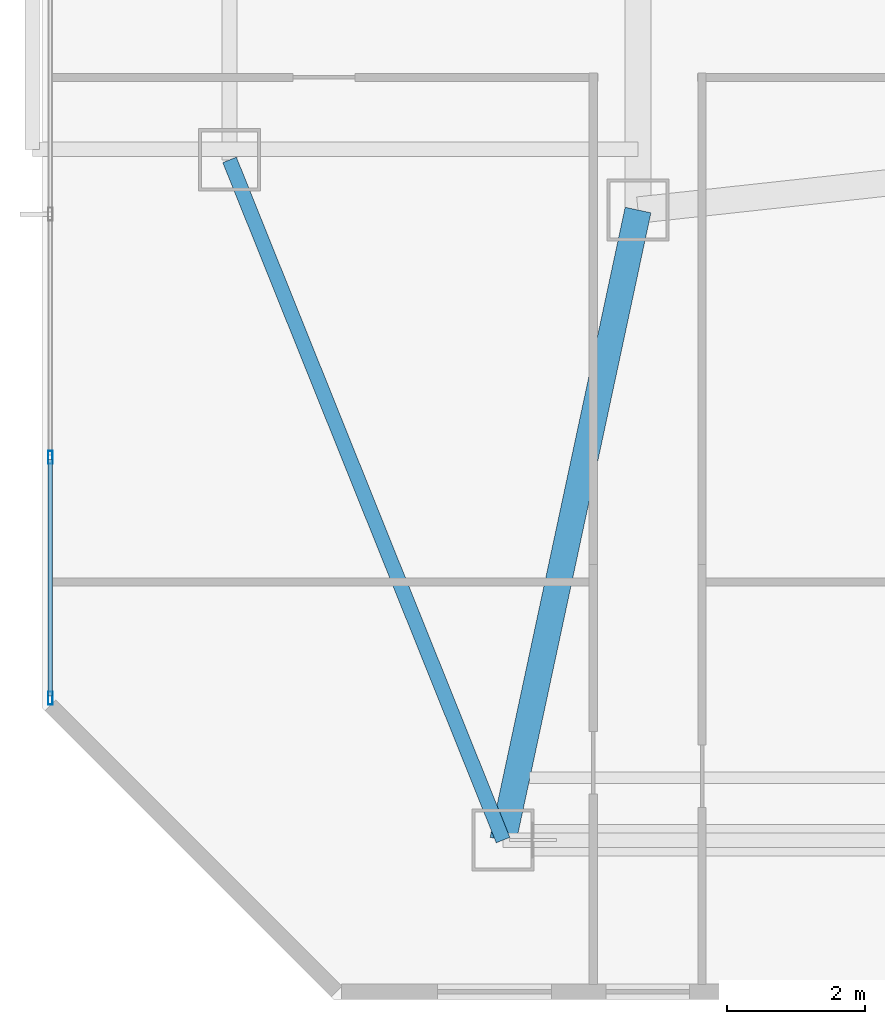
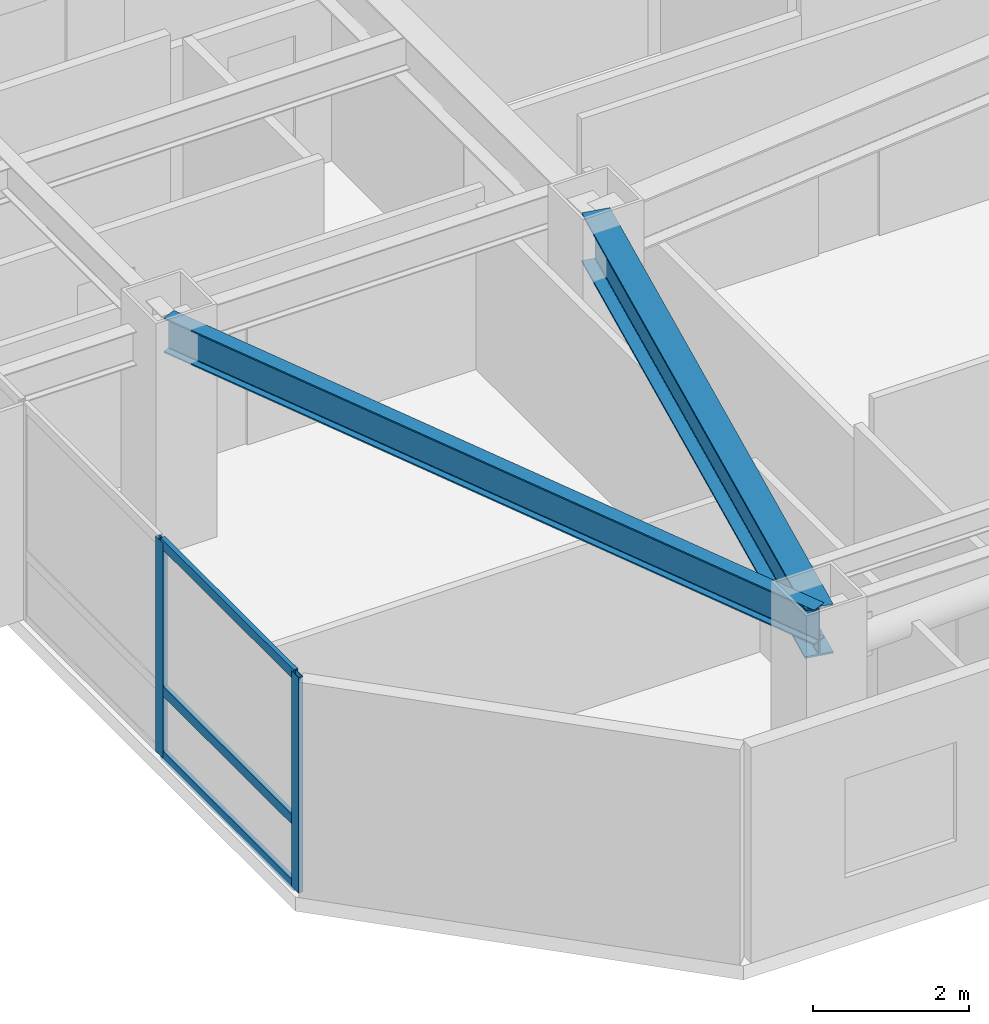
# One storey, part 2 of 17: 5 members, 2 beams, 1 element without a shape of its own.
"""IFC4 building model written with IfcOpenShell, lengths in metres."""

from ifc_helpers import new_model, si_unit, direction, frame, origin, origin_2d, place, context, subcontext, project, spatial, hollow_rectangle, i_section, extrude, material, material_profile, profile_set, type_object, element, aggregate, save


model = new_model("IFC4")

# Units and contexts
model_context = context("Model", 3, precision=1e-05, world=origin(), true_north=direction((0.0, 1.0)))
body_context = subcontext(model_context, "Body", "Model", "MODEL_VIEW")
ifc_project = project(units=[si_unit("LENGTHUNIT", "METRE"), si_unit("AREAUNIT", "SQUARE_METRE"), si_unit("VOLUMEUNIT", "CUBIC_METRE"), si_unit("PLANEANGLEUNIT", "RADIAN"), si_unit("MASSUNIT", "GRAM", prefix="KILO")], contexts=[model_context])

# Site, building, storey
site_placement = place(None, origin())
site = spatial("IfcSite", under=ifc_project, at=site_placement, CompositionType="ELEMENT")
building_placement = place(site_placement, origin())
building = spatial("IfcBuilding", under=site, at=building_placement, Name="Khamvora Tower", CompositionType="ELEMENT")
storey_placement = place(building_placement, frame((0.0, 0.0, 142.050048828125)))
storey = spatial("IfcBuildingStorey", under=building, at=storey_placement, Name="L36", CompositionType="ELEMENT", Elevation=142.050048828125)

# Beams
ifc_material_1 = material(Name="Steel S355", Category="steel")
ifc_material_profile_1 = material_profile(ifc_material_1, i_section(OverallWidth=0.381103515625, OverallDepth=0.77294921875, WebThickness=0.01708984375, FlangeThickness=0.027099609375, FilletRadius=0.01806640625, at=origin_2d()), Name="W760x257")
ifc_profile_set_1 = profile_set([ifc_material_profile_1], Name="Steel S355")
beam_type_1 = type_object("IfcBeamType", Name="BM-PG-W760x257", PredefinedType="BEAM", material=ifc_profile_set_1)
beam_1_placement = place(storey_placement, frame((18.0, 17.800048828125, 2.98291015625), z_axis=(-0.209521922673, -0.977803949634, 0.0), x_axis=(0.977803949634, -0.209521922673, 0.0)))
element("IfcBeam", 1, at=beam_1_placement, inside=storey, type_object=beam_type_1, Name="L36 primary floor girder S1", PredefinedType="BEAM", context=body_context, shape_type="SweptSolid", body=[
    extrude(i_section(OverallWidth=0.381103515625, OverallDepth=0.77294921875, WebThickness=0.01708984375, FlangeThickness=0.027099609375, FilletRadius=0.01806640625, at=origin_2d()), origin(), (0.0, 0.0, 1.0), 9.306640625),
])
ifc_material_profile_2 = material_profile(ifc_material_1, i_section(OverallWidth=0.2119140625, OverallDepth=0.5439453125, WebThickness=0.012939453125, FlangeThickness=0.02099609375, FilletRadius=0.013916015625, at=origin_2d()), Name="W530x123")
ifc_profile_set_2 = profile_set([ifc_material_profile_2], Name="Steel S355")
beam_type_2 = type_object("IfcBeamType", Name="BM-SP-W530x123", PredefinedType="SPANDREL", material=ifc_profile_set_2)
beam_2_placement = place(storey_placement, frame((12.10009765625, 18.52490234375, 3.097900390625), z_axis=(0.373015921536, -0.927824941614, 0.0), x_axis=(0.927824941614, 0.373015921536, 0.0)))
element("IfcBeam", 2, at=beam_2_placement, inside=storey, type_object=beam_type_2, Name="L36 perimeter spandrel beam W1-S1", PredefinedType="SPANDREL", context=body_context, shape_type="SweptSolid", body=[
    extrude(i_section(OverallWidth=0.2119140625, OverallDepth=0.5439453125, WebThickness=0.012939453125, FlangeThickness=0.02099609375, FilletRadius=0.013916015625, at=origin_2d()), origin(), (0.0, 0.0, 1.0), 10.589111328125),
])

# Curtain wall, members
ifc_material_2 = material(Name="Anodised Aluminium 6063-T6", Category="aluminium")
curtain_wall_type = type_object("IfcCurtainWallType", Name="CW-SYS-03", PredefinedType="NOTDEFINED", material=ifc_material_2)
curtain_wall_placement = place(storey_placement, origin())
curtain_wall = element("IfcCurtainWall", 3, at=curtain_wall_placement, inside=storey, type_object=curtain_wall_type, Name="L36 stick curtain wall 02.1", PredefinedType="NOTDEFINED")
ifc_material_profile_3 = material_profile(ifc_material_2, hollow_rectangle(XDim=0.06494140625, YDim=0.18994140625, WallThickness=0.0048828125, at=origin_2d()), Name="MUL65x190x5")
ifc_profile_set_3 = profile_set([ifc_material_profile_3], Name="Anodised Aluminium 6063-T6")
member_type_1 = type_object("IfcMemberType", Name="CW-SYS-03-MUL", PredefinedType="MULLION", material=ifc_profile_set_3)
member_1_placement = place(storey_placement, frame((9.510009765625, 10.74951171875, 0.0), z_axis=(0.0, 0.0, 1.0), x_axis=(-1.0, 0.0, 0.0)))
member_1 = element("IfcMember", 4, at=member_1_placement, type_object=member_type_1, Name="CW-03 mullion 1", PredefinedType="MULLION", context=body_context, shape_type="SweptSolid", body=[
    extrude(hollow_rectangle(XDim=0.06494140625, YDim=0.18994140625, WallThickness=0.0048828125, at=origin_2d()), origin(), (0.0, 0.0, 1.0), 3.369873046875),
])
member_2_placement = place(storey_placement, frame((9.510009765625, 14.228515625, 0.0), z_axis=(0.0, 0.0, 1.0), x_axis=(-1.0, 0.0, 0.0)))
member_2 = element("IfcMember", 5, at=member_2_placement, type_object=member_type_1, Name="CW-03 mullion 2", PredefinedType="MULLION", context=body_context, shape_type="SweptSolid", body=[
    extrude(hollow_rectangle(XDim=0.06494140625, YDim=0.18994140625, WallThickness=0.0048828125, at=origin_2d()), origin(), (0.0, 0.0, 1.0), 3.369873046875),
])
ifc_material_profile_4 = material_profile(ifc_material_2, hollow_rectangle(XDim=0.06494140625, YDim=0.155029296875, WallThickness=0.0048828125, at=origin_2d()), Name="TRN65x155x5")
ifc_profile_set_4 = profile_set([ifc_material_profile_4], Name="Anodised Aluminium 6063-T6")
member_type_2 = type_object("IfcMemberType", Name="CW-SYS-03-TRN", PredefinedType="USERDEFINED", material=ifc_profile_set_4)
member_3_placement = place(storey_placement, frame((9.510009765625, 10.781982421875, 0.032470703125), z_axis=(0.0, 1.0, 0.0), x_axis=(-1.0, 0.0, 0.0)))
member_3 = element("IfcMember", 6, at=member_3_placement, type_object=member_type_2, Name="CW-03 transom 1.1", ObjectType="TRANSOM", PredefinedType="USERDEFINED", context=body_context, shape_type="SweptSolid", body=[
    extrude(hollow_rectangle(XDim=0.06494140625, YDim=0.155029296875, WallThickness=0.0048828125, at=origin_2d()), origin(), (0.0, 0.0, 1.0), 3.4140625),
])
member_4_placement = place(storey_placement, frame((9.510009765625, 10.781982421875, 1.050048828125), z_axis=(0.0, 1.0, 0.0), x_axis=(-1.0, 0.0, 0.0)))
member_4 = element("IfcMember", 7, at=member_4_placement, type_object=member_type_2, Name="CW-03 transom 1.2", ObjectType="TRANSOM", PredefinedType="USERDEFINED", context=body_context, shape_type="SweptSolid", body=[
    extrude(hollow_rectangle(XDim=0.06494140625, YDim=0.155029296875, WallThickness=0.0048828125, at=origin_2d()), origin(), (0.0, 0.0, 1.0), 3.4140625),
])
member_5_placement = place(storey_placement, frame((9.510009765625, 10.781982421875, 3.33740234375), z_axis=(0.0, 1.0, 0.0), x_axis=(-1.0, 0.0, 0.0)))
member_5 = element("IfcMember", 8, at=member_5_placement, type_object=member_type_2, Name="CW-03 transom 1.3", ObjectType="TRANSOM", PredefinedType="USERDEFINED", context=body_context, shape_type="SweptSolid", body=[
    extrude(hollow_rectangle(XDim=0.06494140625, YDim=0.155029296875, WallThickness=0.0048828125, at=origin_2d()), origin(), (0.0, 0.0, 1.0), 3.4140625),
])
aggregate(curtain_wall, [member_1, member_2, member_3, member_4, member_5])

save(model, "model.ifc")
